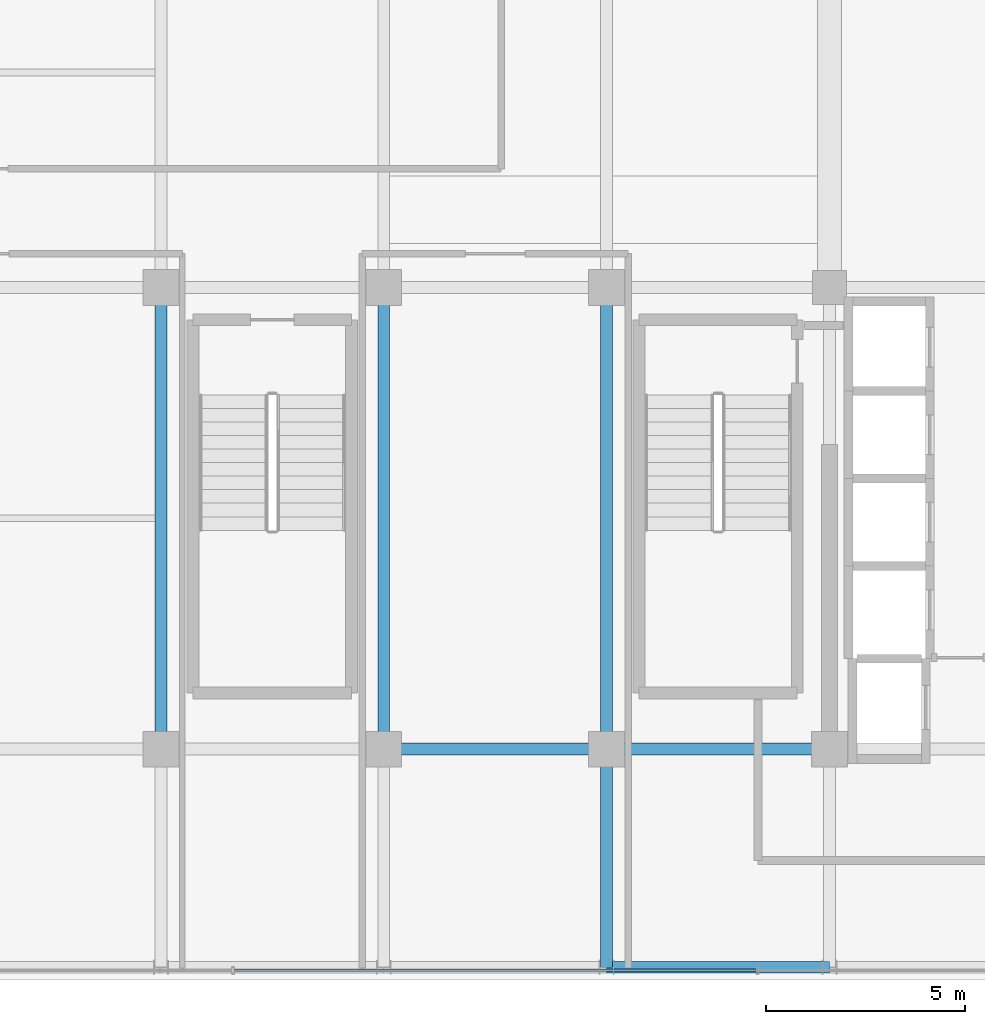
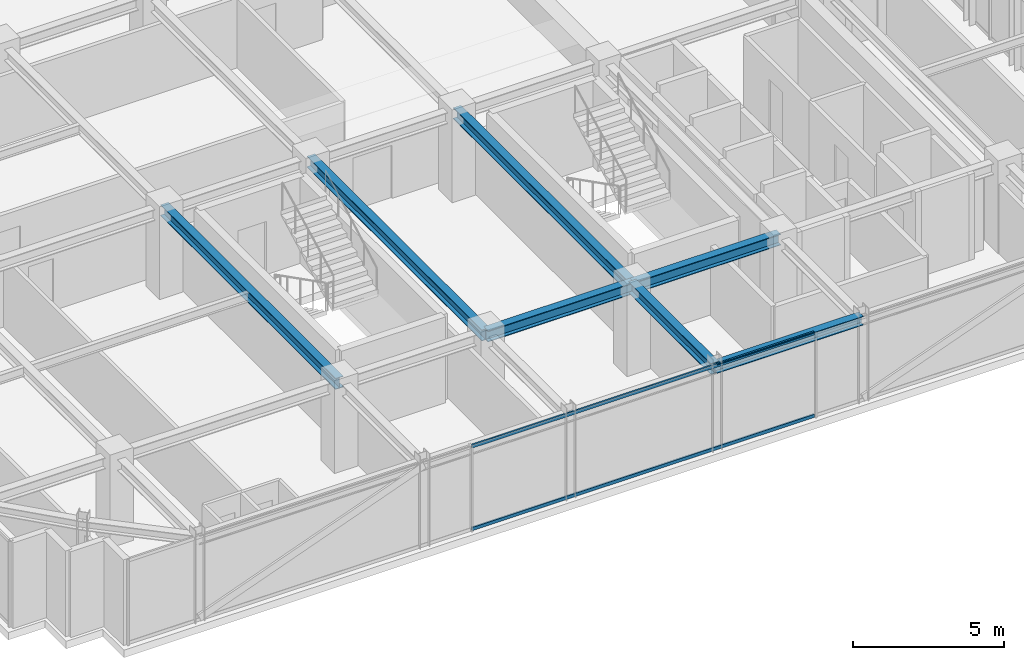
# One storey, part 7 of 34: 7 beams, 2 members, 1 element without a shape of its own.
"""IFC4 building model written with IfcOpenShell, lengths in metres."""

from ifc_helpers import new_model, si_unit, direction, frame, origin, origin_2d, place, context, subcontext, project, spatial, hollow_rectangle, i_section, extrude, source, transform, mapped, material, material_profile, profile_set, type_object, element, aggregate, save


model = new_model("IFC4")

# Units and contexts
model_context = context("Model", 3, precision=1e-05, world=origin(), true_north=direction((0.0, 1.0)))
body_context = subcontext(model_context, "Body", "Model", "MODEL_VIEW")
ifc_project = project(units=[si_unit("LENGTHUNIT", "METRE"), si_unit("AREAUNIT", "SQUARE_METRE"), si_unit("VOLUMEUNIT", "CUBIC_METRE"), si_unit("PLANEANGLEUNIT", "RADIAN"), si_unit("MASSUNIT", "GRAM", prefix="KILO")], contexts=[model_context])

# Site, building, storey
site_placement = place(None, origin())
site = spatial("IfcSite", under=ifc_project, at=site_placement, CompositionType="ELEMENT")
building_placement = place(site_placement, origin())
building = spatial("IfcBuilding", under=site, at=building_placement, Name="Nahalor Promenade Grand Hotel", CompositionType="ELEMENT")
storey_placement = place(building_placement, frame((0.0, 0.0, 334.75)))
storey = spatial("IfcBuildingStorey", under=building, at=storey_placement, Name="L86", CompositionType="ELEMENT", Elevation=334.75)

# Beams
ifc_material_1 = material(Name="Steel S355JR", Category="steel")
ifc_material_profile_1 = material_profile(ifc_material_1, i_section(OverallWidth=0.3, OverallDepth=0.45, WebThickness=0.014, FlangeThickness=0.026, at=origin_2d()), Name="HEB 450")
ifc_profile_set_1 = profile_set([ifc_material_profile_1], Name="Steel S355JR")
beam_type_1 = type_object("IfcBeamType", Name="Beam-Girder-HEB450", PredefinedType="BEAM", material=ifc_profile_set_1)
shared_shape_1 = source(origin(), body_context, "Body", "SweptSolid", [
    extrude(i_section(OverallWidth=0.3, OverallDepth=0.45, WebThickness=0.014, FlangeThickness=0.026, at=origin_2d()), origin(), (0.0, 0.0, 1.0), 5.599853515625),
])
beam_1_placement = place(storey_placement, frame((2.800048828125, -17.0, 3.2451171875), z_axis=(1.0, 0.0, 0.0), x_axis=(0.0, 1.0, 0.0)))
element("IfcBeam", 1, at=beam_1_placement, inside=storey, type_object=beam_type_1, Name="BM-L86-GX-0-4", PredefinedType="BEAM", context=body_context, shape_type="MappedRepresentation", body=[
    mapped(shared_shape_1, transform((0.0, 0.0, 0.0), scale=1.0)),
])
shared_shape_2 = source(origin(), body_context, "Body", "SweptSolid", [
    extrude(i_section(OverallWidth=0.3, OverallDepth=0.45, WebThickness=0.014, FlangeThickness=0.026, at=origin_2d()), origin(), (0.0, 0.0, 1.0), 5.60009765625),
])
beam_2_placement = place(storey_placement, frame((-2.800048828125, -17.0, 3.2451171875), z_axis=(1.0, 0.0, 0.0), x_axis=(0.0, 1.0, 0.0)))
element("IfcBeam", 2, at=beam_2_placement, inside=storey, type_object=beam_type_1, Name="BM-L86-GX-0-3", PredefinedType="BEAM", context=body_context, shape_type="MappedRepresentation", body=[
    mapped(shared_shape_2, transform((0.0, 0.0, 0.0), scale=1.0)),
])
shared_shape_3 = source(origin(), body_context, "Body", "SweptSolid", [
    extrude(i_section(OverallWidth=0.3, OverallDepth=0.45, WebThickness=0.014, FlangeThickness=0.026, at=origin_2d()), origin(), (0.0, 0.0, 1.0), 11.60009765625),
])
for number, where, z_axis, x_axis, name in (
    (3, (-8.39990234375, -17.0, 3.2451171875), (0.0, 1.0, 0.0), (-1.0, 0.0, 0.0), "BM-L86-GY-1-1"),
    (4, (-2.800048828125, -17.0, 3.2451171875), (0.0, 1.0, 0.0), (-1.0, 0.0, 0.0), "BM-L86-GY-2-1"),
    (5, (2.800048828125, -17.0, 3.2451171875), (0.0, 1.0, 0.0), (-1.0, 0.0, 0.0), "BM-L86-GY-3-1"),
):
    element("IfcBeam", number, at=place(storey_placement, frame(where, z_axis=z_axis, x_axis=x_axis)), inside=storey, type_object=beam_type_1, Name=name, PredefinedType="BEAM", context=body_context, shape_type="MappedRepresentation", body=[
        mapped(shared_shape_3, transform((0.0, 0.0, 0.0), scale=1.0)),
    ])
shared_shape_4 = source(origin(), body_context, "Body", "SweptSolid", [
    extrude(i_section(OverallWidth=0.3, OverallDepth=0.45, WebThickness=0.014, FlangeThickness=0.026, at=origin_2d()), origin(), (0.0, 0.0, 1.0), 5.47998046875),
])
beam_3_placement = place(storey_placement, frame((2.800048828125, -22.47998046875, 3.2451171875), z_axis=(0.0, 1.0, 0.0), x_axis=(-1.0, 0.0, 0.0)))
element("IfcBeam", 6, at=beam_3_placement, inside=storey, type_object=beam_type_1, Name="BM-L86-GY-3-0", PredefinedType="BEAM", context=body_context, shape_type="MappedRepresentation", body=[
    mapped(shared_shape_4, transform((0.0, 0.0, 0.0), scale=1.0)),
])
ifc_material_profile_2 = material_profile(ifc_material_1, i_section(OverallWidth=0.3, OverallDepth=0.36, WebThickness=0.0125, FlangeThickness=0.0225, at=origin_2d()), Name="HEB 360")
ifc_profile_set_2 = profile_set([ifc_material_profile_2], Name="Steel S355JR")
beam_type_2 = type_object("IfcBeamType", Name="Beam-Spandrel-HEB360", PredefinedType="SPANDREL", material=ifc_profile_set_2)
shared_shape_5 = source(origin(), body_context, "Body", "SweptSolid", [
    extrude(i_section(OverallWidth=0.3, OverallDepth=0.36, WebThickness=0.0125, FlangeThickness=0.0225, at=origin_2d()), origin(), (0.0, 0.0, 1.0), 5.599853515625),
])
beam_4_placement = place(storey_placement, frame((2.800048828125, -22.47998046875, 3.2900390625), z_axis=(1.0, 0.0, 0.0), x_axis=(0.0, 1.0, 0.0)))
element("IfcBeam", 7, at=beam_4_placement, inside=storey, type_object=beam_type_2, Name="BM-L86-SP-S-3", PredefinedType="SPANDREL", context=body_context, shape_type="MappedRepresentation", body=[
    mapped(shared_shape_5, transform((0.0, 0.0, 0.0), scale=1.0)),
])

# Curtain wall, members
ifc_material_2 = material(Name="Anodised Bronze Aluminium EN AW-6063 T6", Category="aluminium")
curtain_wall_type = type_object("IfcCurtainWallType", Name="CW2 Typical Hotel Flush Bronze Unitised Curtain Wall", PredefinedType="USERDEFINED", material=ifc_material_2)
curtain_wall_placement = place(storey_placement, origin())
curtain_wall = element("IfcCurtainWall", 8, at=curtain_wall_placement, inside=storey, type_object=curtain_wall_type, Name="L86 Curtain Wall CW-L86-S-1", ObjectType="UNITISED_CURTAIN_WALL", PredefinedType="USERDEFINED")
ifc_material_profile_3 = material_profile(ifc_material_2, hollow_rectangle(XDim=0.065, YDim=0.13, WallThickness=0.004, at=origin_2d()), Name="CWT 65x130x4")
ifc_profile_set_3 = profile_set([ifc_material_profile_3], Name="Anodised Bronze Aluminium EN AW-6063 T6")
member_type = type_object("IfcMemberType", Name="CWT2 Typical Bronze Transom 65x130", PredefinedType="USERDEFINED", material=ifc_profile_set_3)
shared_shape_6 = source(origin(), body_context, "Body", "SweptSolid", [
    extrude(hollow_rectangle(XDim=0.065, YDim=0.13, WallThickness=0.004, at=origin_2d()), origin(), (0.0, 0.0, 1.0), 13.1083984375),
])
member_1_placement = place(storey_placement, frame((-6.55419921875, -22.56005859375, 0.06494140625), z_axis=(1.0, 0.0, 0.0), x_axis=(0.0, 1.0, 0.0)))
member_1 = element("IfcMember", 9, at=member_1_placement, type_object=member_type, Name="CW-L86-S-1 Transom 1-0", ObjectType="TRANSOM", PredefinedType="USERDEFINED", context=body_context, shape_type="MappedRepresentation", body=[
    mapped(shared_shape_6, transform((0.0, 0.0, 0.0), scale=1.0)),
])
member_2_placement = place(storey_placement, frame((-6.55419921875, -22.56005859375, 3.405029296875), z_axis=(1.0, 0.0, 0.0), x_axis=(0.0, 1.0, 0.0)))
member_2 = element("IfcMember", 10, at=member_2_placement, type_object=member_type, Name="CW-L86-S-1 Transom 1-1", ObjectType="TRANSOM", PredefinedType="USERDEFINED", context=body_context, shape_type="MappedRepresentation", body=[
    mapped(shared_shape_6, transform((0.0, 0.0, 0.0), scale=1.0)),
])
aggregate(curtain_wall, [member_1, member_2])

save(model, "model.ifc")
